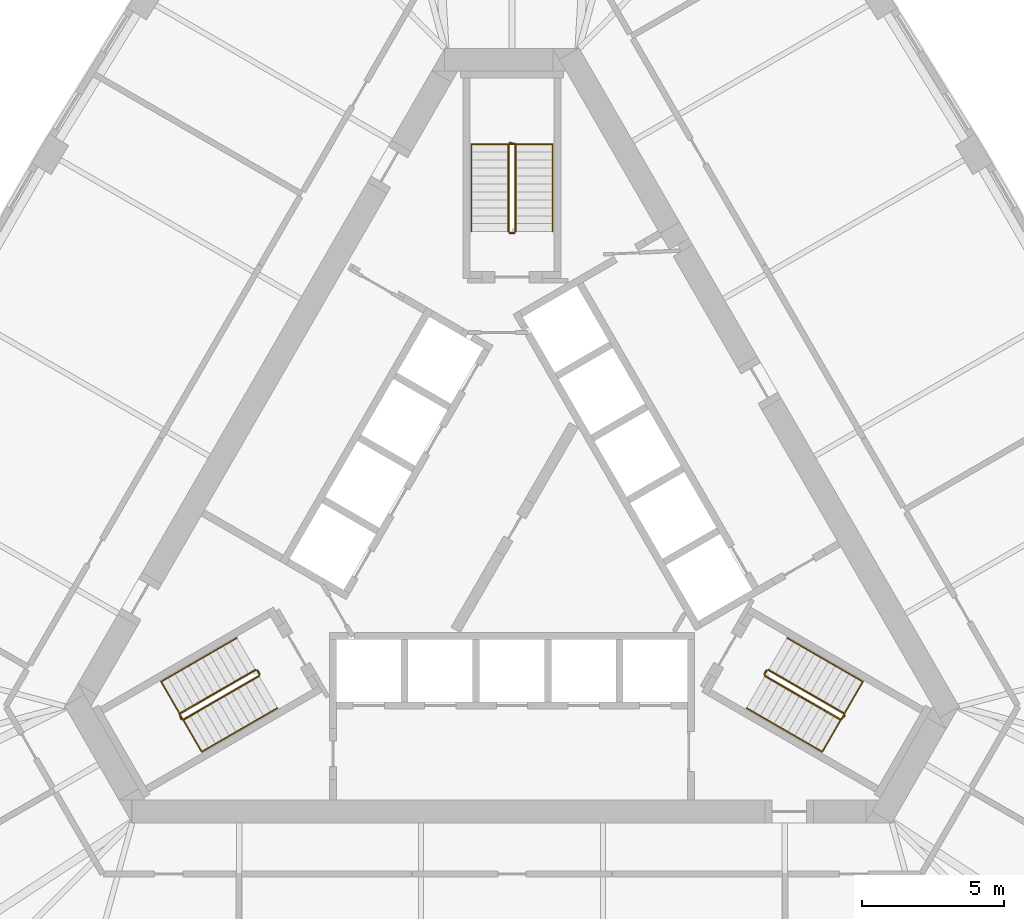
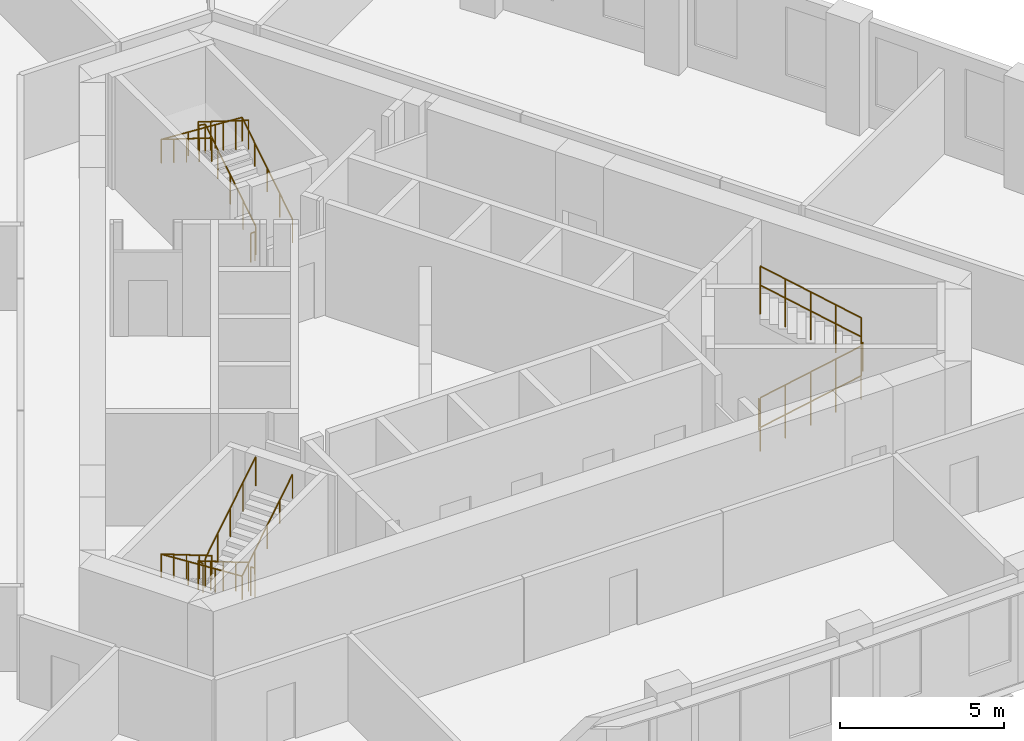
# One storey, part 9 of 9: 12 railings.
"""IFC4 building model written with IfcOpenShell, lengths in metres."""

from ifc_helpers import new_model, si_unit, direction, frame, origin, origin_2d, place, context, subcontext, project, spatial, circle, extrude, material, type_object, element, save


model = new_model("IFC4")

# Units and contexts
model_context = context("Model", 3, precision=1e-05, world=origin(), true_north=direction((0.0, 1.0)))
body_context = subcontext(model_context, "Body", "Model", "MODEL_VIEW")
ifc_project = project(units=[si_unit("LENGTHUNIT", "METRE"), si_unit("AREAUNIT", "SQUARE_METRE"), si_unit("VOLUMEUNIT", "CUBIC_METRE"), si_unit("PLANEANGLEUNIT", "RADIAN"), si_unit("MASSUNIT", "GRAM", prefix="KILO")], contexts=[model_context])

# Site, building, storey
site_placement = place(None, origin())
site = spatial("IfcSite", under=ifc_project, at=site_placement, CompositionType="ELEMENT")
building_placement = place(site_placement, origin())
building = spatial("IfcBuilding", under=site, at=building_placement, Name="Mestral Congress Tower", CompositionType="ELEMENT")
storey_placement = place(building_placement, frame((0.0, 0.0, 183.60009765625)))
storey = spatial("IfcBuildingStorey", under=building, at=storey_placement, Name="L43", CompositionType="ELEMENT", Elevation=183.60009765625)

# Railings
ifc_material_1 = material(Name="Steel balustrade", Category="steel")
railing_type_1 = type_object("IfcRailingType", Name="Stair guard 1100", PredefinedType="GUARDRAIL", material=ifc_material_1)
railing_1_placement = place(storey_placement, frame((8.90087890625, -5.283203125, 0.1748046875)))
element("IfcRailing", 1, at=railing_1_placement, inside=storey, type_object=railing_type_1, Name="L43 ST1 stair guard 1", PredefinedType="GUARDRAIL", context=body_context, shape_type="SweptSolid", body=[
    extrude(circle(Radius=0.02392578125, at=origin_2d()), frame((0.0, 0.0, 1.076171875), z_axis=(0.734364028329, -0.424015404183, 0.530019255228), x_axis=(0.500026652407, 0.866010015463, 0.0)), (0.0, 0.0, 1.0), 3.632080078125),
    extrude(circle(Radius=0.02392578125, at=origin_2d()), frame((2.667236328125, -1.5400390625, 3.0009765625), z_axis=(0.695164929852, 0.718850276695, 0.0), x_axis=(-0.718850276695, 0.695164929852, 0.0)), (0.0, 0.0, 1.0), 0.2060546875),
    extrude(circle(Radius=0.02099609375, at=origin_2d()), origin(), (0.0, 0.0, 1.0), 1.052001953125),
    extrude(circle(Radius=0.02099609375, at=origin_2d()), frame((0.666748046875, -0.385009765625, 0.481201171875)), (0.0, 0.0, 1.0), 1.052001953125),
    extrude(circle(Radius=0.02099609375, at=origin_2d()), frame((1.33349609375, -0.77001953125, 0.96240234375)), (0.0, 0.0, 1.0), 1.052001953125),
    extrude(circle(Radius=0.02099609375, at=origin_2d()), frame((2.00048828125, -1.155029296875, 1.44384765625)), (0.0, 0.0, 1.0), 1.052001953125),
    extrude(circle(Radius=0.02099609375, at=origin_2d()), frame((2.667236328125, -1.5400390625, 1.925048828125)), (0.0, 0.0, 1.0), 1.052001953125),
    extrude(circle(Radius=0.02099609375, at=origin_2d()), frame((2.810546875, -1.391845703125, 1.925048828125)), (0.0, 0.0, 1.0), 1.052001953125),
])
railing_2_placement = place(storey_placement, frame((11.693115234375, -6.606689453125, 2.27490234375)))
element("IfcRailing", 2, at=railing_2_placement, inside=storey, type_object=railing_type_1, Name="L43 ST1 stair guard 2", PredefinedType="GUARDRAIL", context=body_context, shape_type="SweptSolid", body=[
    extrude(circle(Radius=0.02392578125, at=origin_2d()), frame((0.0, 0.0, 1.076171875), z_axis=(-0.734364028329, 0.424015404183, 0.530019255228), x_axis=(-0.500026652407, -0.866010015463, 0.0)), (0.0, 0.0, 1.0), 3.632080078125),
    extrude(circle(Radius=0.02099609375, at=origin_2d()), origin(), (0.0, 0.0, 1.0), 1.052001953125),
    extrude(circle(Radius=0.02099609375, at=origin_2d()), frame((-0.666748046875, 0.385009765625, 0.481201171875)), (0.0, 0.0, 1.0), 1.052001953125),
    extrude(circle(Radius=0.02099609375, at=origin_2d()), frame((-1.33349609375, 0.77001953125, 0.96240234375)), (0.0, 0.0, 1.0), 1.052001953125),
    extrude(circle(Radius=0.02099609375, at=origin_2d()), frame((-2.00048828125, 1.155029296875, 1.44384765625)), (0.0, 0.0, 1.0), 1.052001953125),
    extrude(circle(Radius=0.02099609375, at=origin_2d()), frame((-2.667236328125, 1.5400390625, 1.925048828125)), (0.0, 0.0, 1.0), 1.052001953125),
])
railing_3_placement = place(storey_placement, frame((8.882568359375, -5.21484375, 0.0)))
element("IfcRailing", 3, at=railing_3_placement, inside=storey, type_object=railing_type_1, Name="L43 ST1 stair guard 3", PredefinedType="GUARDRAIL", context=body_context, shape_type="SweptSolid", body=[
    extrude(circle(Radius=0.02392578125, at=origin_2d()), frame((0.0, 0.0, 1.076171875), z_axis=(0.499816412211, 0.866131372301, 0.0), x_axis=(-0.866131372301, 0.499816412211, 0.0)), (0.0, 0.0, 1.0), 0.14990234375),
    extrude(circle(Radius=0.02099609375, at=origin_2d()), origin(), (0.0, 0.0, 1.0), 1.052001953125),
    extrude(circle(Radius=0.02099609375, at=origin_2d()), frame((0.074951171875, 0.1298828125, 0.0)), (0.0, 0.0, 1.0), 1.052001953125),
])
railing_4_placement = place(storey_placement, frame((0.125, 10.35009765625, 0.1748046875)))
element("IfcRailing", 4, at=railing_4_placement, inside=storey, type_object=railing_type_1, Name="L43 ST2 stair guard 1", PredefinedType="GUARDRAIL", context=body_context, shape_type="SweptSolid", body=[
    extrude(circle(Radius=0.02392578125, at=origin_2d()), frame((0.0, 0.0, 1.076171875), z_axis=(0.0, 0.847979421464, 0.530029150871), x_axis=(-1.0, 0.0, 0.0)), (0.0, 0.0, 1.0), 3.632080078125),
    extrude(circle(Radius=0.02392578125, at=origin_2d()), frame((0.0, 3.079833984375, 3.0009765625), z_axis=(-0.970072785993, 0.242814311512, 0.0), x_axis=(-0.242814311512, -0.970072785993, 0.0)), (0.0, 0.0, 1.0), 0.2060546875),
    extrude(circle(Radius=0.02099609375, at=origin_2d()), origin(), (0.0, 0.0, 1.0), 1.052001953125),
    extrude(circle(Radius=0.02099609375, at=origin_2d()), frame((0.0, 0.77001953125, 0.481201171875)), (0.0, 0.0, 1.0), 1.052001953125),
    extrude(circle(Radius=0.02099609375, at=origin_2d()), frame((0.0, 1.5400390625, 0.96240234375)), (0.0, 0.0, 1.0), 1.052001953125),
    extrude(circle(Radius=0.02099609375, at=origin_2d()), frame((0.0, 2.309814453125, 1.44384765625)), (0.0, 0.0, 1.0), 1.052001953125),
    extrude(circle(Radius=0.02099609375, at=origin_2d()), frame((0.0, 3.079833984375, 1.925048828125)), (0.0, 0.0, 1.0), 1.052001953125),
    extrude(circle(Radius=0.02099609375, at=origin_2d()), frame((-0.199951171875, 3.1298828125, 1.925048828125)), (0.0, 0.0, 1.0), 1.052001953125),
])
railing_5_placement = place(storey_placement, frame((-0.125, 13.429931640625, 2.27490234375)))
element("IfcRailing", 5, at=railing_5_placement, inside=storey, type_object=railing_type_1, Name="L43 ST2 stair guard 2", PredefinedType="GUARDRAIL", context=body_context, shape_type="SweptSolid", body=[
    extrude(circle(Radius=0.02392578125, at=origin_2d()), frame((0.0, 0.0, 1.076171875), z_axis=(0.0, -0.847979421464, 0.530029150871), x_axis=(1.0, 0.0, 0.0)), (0.0, 0.0, 1.0), 3.632080078125),
    extrude(circle(Radius=0.02099609375, at=origin_2d()), origin(), (0.0, 0.0, 1.0), 1.052001953125),
    extrude(circle(Radius=0.02099609375, at=origin_2d()), frame((0.0, -0.77001953125, 0.481201171875)), (0.0, 0.0, 1.0), 1.052001953125),
    extrude(circle(Radius=0.02099609375, at=origin_2d()), frame((0.0, -1.5400390625, 0.96240234375)), (0.0, 0.0, 1.0), 1.052001953125),
    extrude(circle(Radius=0.02099609375, at=origin_2d()), frame((0.0, -2.309814453125, 1.44384765625)), (0.0, 0.0, 1.0), 1.052001953125),
    extrude(circle(Radius=0.02099609375, at=origin_2d()), frame((0.0, -3.079833984375, 1.925048828125)), (0.0, 0.0, 1.0), 1.052001953125),
])
railing_6_placement = place(storey_placement, frame((0.074951171875, 10.300048828125, 0.0)))
element("IfcRailing", 6, at=railing_6_placement, inside=storey, type_object=railing_type_1, Name="L43 ST2 stair guard 3", PredefinedType="GUARDRAIL", context=body_context, shape_type="SweptSolid", body=[
    extrude(circle(Radius=0.02392578125, at=origin_2d()), frame((0.0, 0.0, 1.076171875), z_axis=(-1.0, 0.0, 0.0), x_axis=(0.0, -1.0, 0.0)), (0.0, 0.0, 1.0), 0.14990234375),
    extrude(circle(Radius=0.02099609375, at=origin_2d()), origin(), (0.0, 0.0, 1.0), 1.052001953125),
    extrude(circle(Radius=0.02099609375, at=origin_2d()), frame((-0.14990234375, 0.0, 0.0)), (0.0, 0.0, 1.0), 1.052001953125),
])
railing_7_placement = place(storey_placement, frame((-9.02587890625, -5.066650390625, 0.1748046875)))
element("IfcRailing", 7, at=railing_7_placement, inside=storey, type_object=railing_type_1, Name="L43 ST3 stair guard 1", PredefinedType="GUARDRAIL", context=body_context, shape_type="SweptSolid", body=[
    extrude(circle(Radius=0.02392578125, at=origin_2d()), frame((0.0, 0.0, 1.076171875), z_axis=(-0.734364028329, -0.424015404183, 0.530019255228), x_axis=(0.500026652407, -0.866010015463, 0.0)), (0.0, 0.0, 1.0), 3.632080078125),
    extrude(circle(Radius=0.02392578125, at=origin_2d()), frame((-2.667236328125, -1.5400390625, 3.0009765625), z_axis=(0.274721127897, -0.961523947641, 0.0), x_axis=(0.961523947641, 0.274721127897, 0.0)), (0.0, 0.0, 1.0), 0.2060546875),
    extrude(circle(Radius=0.02099609375, at=origin_2d()), origin(), (0.0, 0.0, 1.0), 1.052001953125),
    extrude(circle(Radius=0.02099609375, at=origin_2d()), frame((-0.666748046875, -0.385009765625, 0.481201171875)), (0.0, 0.0, 1.0), 1.052001953125),
    extrude(circle(Radius=0.02099609375, at=origin_2d()), frame((-1.33349609375, -0.77001953125, 0.96240234375)), (0.0, 0.0, 1.0), 1.052001953125),
    extrude(circle(Radius=0.02099609375, at=origin_2d()), frame((-2.00048828125, -1.155029296875, 1.44384765625)), (0.0, 0.0, 1.0), 1.052001953125),
    extrude(circle(Radius=0.02099609375, at=origin_2d()), frame((-2.667236328125, -1.5400390625, 1.925048828125)), (0.0, 0.0, 1.0), 1.052001953125),
    extrude(circle(Radius=0.02099609375, at=origin_2d()), frame((-2.610595703125, -1.73828125, 1.925048828125)), (0.0, 0.0, 1.0), 1.052001953125),
])
railing_8_placement = place(storey_placement, frame((-11.568115234375, -6.8232421875, 2.27490234375)))
element("IfcRailing", 8, at=railing_8_placement, inside=storey, type_object=railing_type_1, Name="L43 ST3 stair guard 2", PredefinedType="GUARDRAIL", context=body_context, shape_type="SweptSolid", body=[
    extrude(circle(Radius=0.02392578125, at=origin_2d()), frame((0.0, 0.0, 1.076171875), z_axis=(0.734364028329, 0.424015404183, 0.530019255228), x_axis=(-0.500026652407, 0.866010015463, 0.0)), (0.0, 0.0, 1.0), 3.632080078125),
    extrude(circle(Radius=0.02099609375, at=origin_2d()), origin(), (0.0, 0.0, 1.0), 1.052001953125),
    extrude(circle(Radius=0.02099609375, at=origin_2d()), frame((0.666748046875, 0.385009765625, 0.481201171875)), (0.0, 0.0, 1.0), 1.052001953125),
    extrude(circle(Radius=0.02099609375, at=origin_2d()), frame((1.33349609375, 0.77001953125, 0.96240234375)), (0.0, 0.0, 1.0), 1.052001953125),
    extrude(circle(Radius=0.02099609375, at=origin_2d()), frame((2.00048828125, 1.155029296875, 1.44384765625)), (0.0, 0.0, 1.0), 1.052001953125),
    extrude(circle(Radius=0.02099609375, at=origin_2d()), frame((2.667236328125, 1.5400390625, 1.925048828125)), (0.0, 0.0, 1.0), 1.052001953125),
])
railing_9_placement = place(storey_placement, frame((-8.95751953125, -5.0849609375, 0.0)))
element("IfcRailing", 9, at=railing_9_placement, inside=storey, type_object=railing_type_1, Name="L43 ST3 stair guard 3", PredefinedType="GUARDRAIL", context=body_context, shape_type="SweptSolid", body=[
    extrude(circle(Radius=0.02392578125, at=origin_2d()), frame((0.0, 0.0, 1.076171875), z_axis=(0.499816412211, -0.866131372301, 0.0), x_axis=(0.866131372301, 0.499816412211, 0.0)), (0.0, 0.0, 1.0), 0.14990234375),
    extrude(circle(Radius=0.02099609375, at=origin_2d()), origin(), (0.0, 0.0, 1.0), 1.052001953125),
    extrude(circle(Radius=0.02099609375, at=origin_2d()), frame((0.074951171875, -0.1298828125, 0.0)), (0.0, 0.0, 1.0), 1.052001953125),
])
ifc_material_2 = material(Name="Steel handrail", Category="steel")
railing_type_2 = type_object("IfcRailingType", Name="Stair handrail 900", PredefinedType="HANDRAIL", material=ifc_material_2)
railing_10_placement = place(storey_placement, frame((8.2509765625, -6.4091796875, 0.1748046875)))
element("IfcRailing", 10, at=railing_10_placement, inside=storey, type_object=railing_type_2, Name="L43 ST1 stair handrail 1", PredefinedType="HANDRAIL", context=body_context, shape_type="SweptSolid", body=[
    extrude(circle(Radius=0.02392578125, at=origin_2d()), frame((0.0, 0.0, 0.8759765625), z_axis=(0.734384958227, -0.423960268333, 0.530034361155), x_axis=(0.499967199496, 0.866044340336, 0.0)), (0.0, 0.0, 1.0), 3.6318359375),
    extrude(circle(Radius=0.02392578125, at=origin_2d()), frame((2.667236328125, -1.539794921875, 2.80078125), z_axis=(0.499095769026, 0.864375386171, 0.061307463833), x_axis=(-0.866004402611, 0.500036373335, 0.0)), (0.0, 0.0, 1.0), 2.855224609375),
    extrude(circle(Radius=0.02392578125, at=origin_2d()), frame((4.09228515625, 0.92822265625, 2.97607421875), z_axis=(-0.734394994316, 0.423994474112, 0.52999309264), x_axis=(-0.499992328818, -0.866029832698, 0.0)), (0.0, 0.0, 1.0), 3.63232421875),
    extrude(circle(Radius=0.02099609375, at=origin_2d()), origin(), (0.0, 0.0, 1.0), 0.851806640625),
    extrude(circle(Radius=0.02099609375, at=origin_2d()), frame((0.666748046875, -0.385009765625, 0.481201171875)), (0.0, 0.0, 1.0), 0.851806640625),
    extrude(circle(Radius=0.02099609375, at=origin_2d()), frame((1.33349609375, -0.77001953125, 0.96240234375)), (0.0, 0.0, 1.0), 0.851806640625),
    extrude(circle(Radius=0.02099609375, at=origin_2d()), frame((2.00048828125, -1.15478515625, 1.44384765625)), (0.0, 0.0, 1.0), 0.851806640625),
    extrude(circle(Radius=0.02099609375, at=origin_2d()), frame((2.667236328125, -1.539794921875, 1.925048828125)), (0.0, 0.0, 1.0), 0.851806640625),
    extrude(circle(Radius=0.02099609375, at=origin_2d()), frame((3.142333984375, -0.717041015625, 1.9833984375)), (0.0, 0.0, 1.0), 0.851806640625),
    extrude(circle(Radius=0.02099609375, at=origin_2d()), frame((3.6171875, 0.10546875, 2.041748046875)), (0.0, 0.0, 1.0), 0.851806640625),
    extrude(circle(Radius=0.02099609375, at=origin_2d()), frame((4.09228515625, 0.92822265625, 2.10009765625)), (0.0, 0.0, 1.0), 0.851806640625),
    extrude(circle(Radius=0.02099609375, at=origin_2d()), frame((3.42529296875, 1.313232421875, 2.581298828125)), (0.0, 0.0, 1.0), 0.851806640625),
    extrude(circle(Radius=0.02099609375, at=origin_2d()), frame((2.758544921875, 1.6982421875, 3.0625)), (0.0, 0.0, 1.0), 0.851806640625),
    extrude(circle(Radius=0.02099609375, at=origin_2d()), frame((2.091796875, 2.083251953125, 3.5439453125)), (0.0, 0.0, 1.0), 0.851806640625),
    extrude(circle(Radius=0.02099609375, at=origin_2d()), frame((1.4248046875, 2.46826171875, 4.025146484375)), (0.0, 0.0, 1.0), 0.851806640625),
])
railing_11_placement = place(storey_placement, frame((1.425048828125, 10.35009765625, 0.1748046875)))
element("IfcRailing", 11, at=railing_11_placement, inside=storey, type_object=railing_type_2, Name="L43 ST2 stair handrail 1", PredefinedType="HANDRAIL", context=body_context, shape_type="SweptSolid", body=[
    extrude(circle(Radius=0.02392578125, at=origin_2d()), frame((0.0, 0.0, 0.8759765625), z_axis=(0.0, 0.847979421464, 0.530029150871), x_axis=(-1.0, 0.0, 0.0)), (0.0, 0.0, 1.0), 3.632080078125),
    extrude(circle(Radius=0.02392578125, at=origin_2d()), frame((0.0, 3.079833984375, 2.80078125), z_axis=(-0.998119201106, 0.0, 0.061303021003), x_axis=(0.0, -1.0, 0.0)), (0.0, 0.0, 1.0), 2.85546875),
    extrude(circle(Radius=0.02392578125, at=origin_2d()), frame((-2.85009765625, 3.079833984375, 2.97607421875), z_axis=(0.0, -0.847979421464, 0.530029150871), x_axis=(1.0, 0.0, 0.0)), (0.0, 0.0, 1.0), 3.632080078125),
    extrude(circle(Radius=0.02099609375, at=origin_2d()), origin(), (0.0, 0.0, 1.0), 0.851806640625),
    extrude(circle(Radius=0.02099609375, at=origin_2d()), frame((0.0, 0.77001953125, 0.481201171875)), (0.0, 0.0, 1.0), 0.851806640625),
    extrude(circle(Radius=0.02099609375, at=origin_2d()), frame((0.0, 1.5400390625, 0.96240234375)), (0.0, 0.0, 1.0), 0.851806640625),
    extrude(circle(Radius=0.02099609375, at=origin_2d()), frame((0.0, 2.309814453125, 1.44384765625)), (0.0, 0.0, 1.0), 0.851806640625),
    extrude(circle(Radius=0.02099609375, at=origin_2d()), frame((0.0, 3.079833984375, 1.925048828125)), (0.0, 0.0, 1.0), 0.851806640625),
    extrude(circle(Radius=0.02099609375, at=origin_2d()), frame((-0.949951171875, 3.079833984375, 1.9833984375)), (0.0, 0.0, 1.0), 0.851806640625),
    extrude(circle(Radius=0.02099609375, at=origin_2d()), frame((-1.900146484375, 3.079833984375, 2.041748046875)), (0.0, 0.0, 1.0), 0.851806640625),
    extrude(circle(Radius=0.02099609375, at=origin_2d()), frame((-2.85009765625, 3.079833984375, 2.10009765625)), (0.0, 0.0, 1.0), 0.851806640625),
    extrude(circle(Radius=0.02099609375, at=origin_2d()), frame((-2.85009765625, 2.309814453125, 2.581298828125)), (0.0, 0.0, 1.0), 0.851806640625),
    extrude(circle(Radius=0.02099609375, at=origin_2d()), frame((-2.85009765625, 1.5400390625, 3.0625)), (0.0, 0.0, 1.0), 0.851806640625),
    extrude(circle(Radius=0.02099609375, at=origin_2d()), frame((-2.85009765625, 0.77001953125, 3.5439453125)), (0.0, 0.0, 1.0), 0.851806640625),
    extrude(circle(Radius=0.02099609375, at=origin_2d()), frame((-2.85009765625, 0.0, 4.025146484375)), (0.0, 0.0, 1.0), 0.851806640625),
])
railing_12_placement = place(storey_placement, frame((-9.67578125, -3.94091796875, 0.1748046875)))
element("IfcRailing", 12, at=railing_12_placement, inside=storey, type_object=railing_type_2, Name="L43 ST3 stair handrail 1", PredefinedType="HANDRAIL", context=body_context, shape_type="SweptSolid", body=[
    extrude(circle(Radius=0.02392578125, at=origin_2d()), frame((0.0, 0.0, 0.8759765625), z_axis=(-0.734394994316, -0.423994474112, 0.52999309264), x_axis=(0.499992328818, -0.866029832698, 0.0)), (0.0, 0.0, 1.0), 3.63232421875),
    extrude(circle(Radius=0.02392578125, at=origin_2d()), frame((-2.66748046875, -1.5400390625, 2.80078125), z_axis=(0.499095769026, -0.864375386171, 0.061307463833), x_axis=(0.866004402611, 0.500036373335, 0.0)), (0.0, 0.0, 1.0), 2.855224609375),
    extrude(circle(Radius=0.02392578125, at=origin_2d()), frame((-1.242431640625, -4.008056640625, 2.97607421875), z_axis=(0.734384958227, 0.423960268333, 0.530034361155), x_axis=(-0.499967199496, 0.866044340336, 0.0)), (0.0, 0.0, 1.0), 3.6318359375),
    extrude(circle(Radius=0.02099609375, at=origin_2d()), origin(), (0.0, 0.0, 1.0), 0.851806640625),
    extrude(circle(Radius=0.02099609375, at=origin_2d()), frame((-0.6669921875, -0.385009765625, 0.481201171875)), (0.0, 0.0, 1.0), 0.851806640625),
    extrude(circle(Radius=0.02099609375, at=origin_2d()), frame((-1.333740234375, -0.77001953125, 0.96240234375)), (0.0, 0.0, 1.0), 0.851806640625),
    extrude(circle(Radius=0.02099609375, at=origin_2d()), frame((-2.00048828125, -1.155029296875, 1.44384765625)), (0.0, 0.0, 1.0), 0.851806640625),
    extrude(circle(Radius=0.02099609375, at=origin_2d()), frame((-2.66748046875, -1.5400390625, 1.925048828125)), (0.0, 0.0, 1.0), 0.851806640625),
    extrude(circle(Radius=0.02099609375, at=origin_2d()), frame((-2.1923828125, -2.36279296875, 1.9833984375)), (0.0, 0.0, 1.0), 0.851806640625),
    extrude(circle(Radius=0.02099609375, at=origin_2d()), frame((-1.717529296875, -3.185302734375, 2.041748046875)), (0.0, 0.0, 1.0), 0.851806640625),
    extrude(circle(Radius=0.02099609375, at=origin_2d()), frame((-1.242431640625, -4.008056640625, 2.10009765625)), (0.0, 0.0, 1.0), 0.851806640625),
    extrude(circle(Radius=0.02099609375, at=origin_2d()), frame((-0.57568359375, -3.623046875, 2.581298828125)), (0.0, 0.0, 1.0), 0.851806640625),
    extrude(circle(Radius=0.02099609375, at=origin_2d()), frame((0.09130859375, -3.23828125, 3.0625)), (0.0, 0.0, 1.0), 0.851806640625),
    extrude(circle(Radius=0.02099609375, at=origin_2d()), frame((0.758056640625, -2.853271484375, 3.5439453125)), (0.0, 0.0, 1.0), 0.851806640625),
    extrude(circle(Radius=0.02099609375, at=origin_2d()), frame((1.4248046875, -2.46826171875, 4.025146484375)), (0.0, 0.0, 1.0), 0.851806640625),
])

save(model, "model.ifc")
